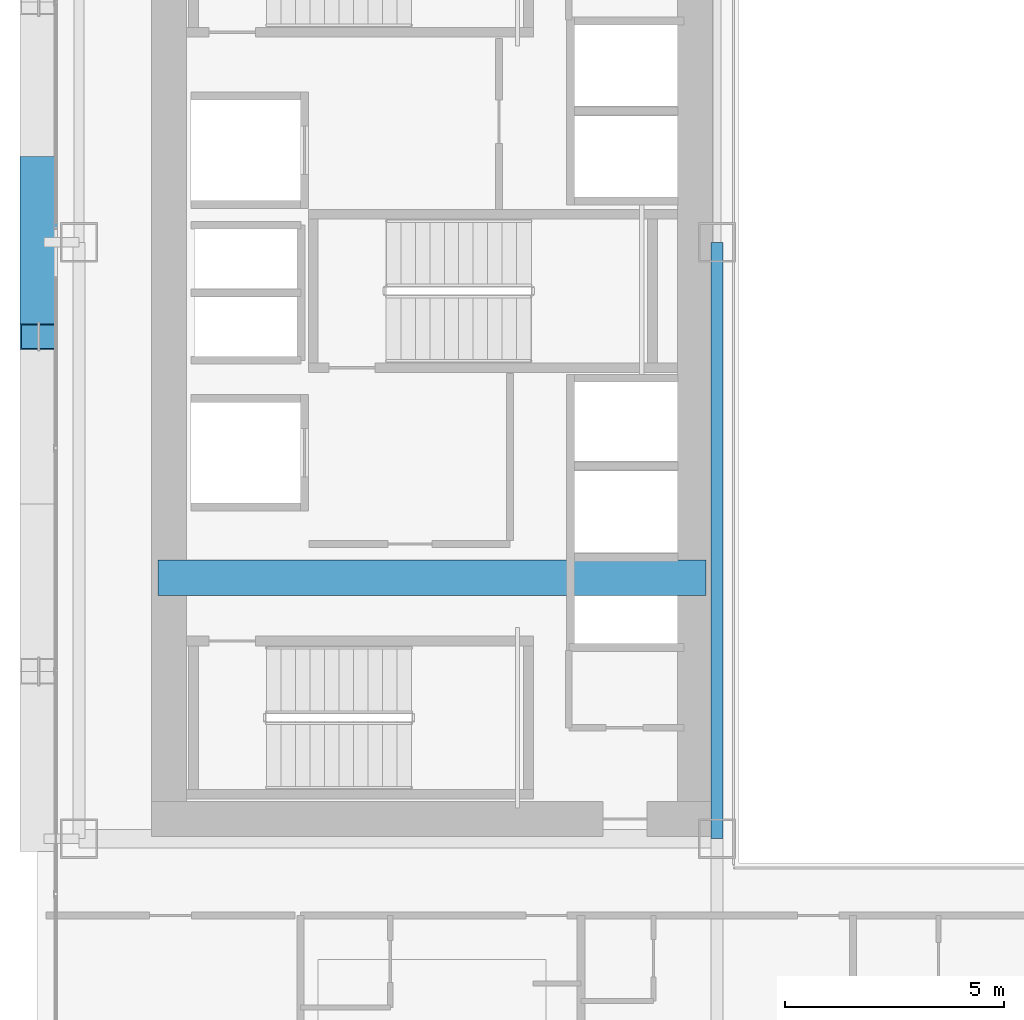
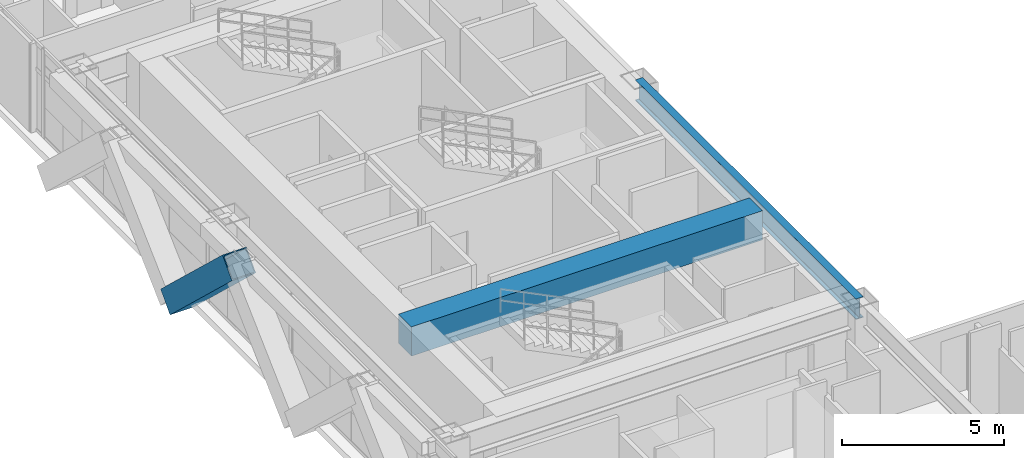
# One storey, part 7 of 35: 2 beams, 1 member.
"""IFC4 building model written with IfcOpenShell, lengths in metres."""

import ifcopenshell
import ifcopenshell.guid

model = None  # the IFC model being written
_history = None  # IfcOwnerHistory: only IFC2X3 demands one
_inside = {}  # id of a spatial element -> (the spatial element, [elements in it])
_under = {}  # id of a project, library or spatial element -> (it, [spatial elements below it])
_declared = {}  # id of a project -> (the project, [libraries it declares])
_typed = {}  # id of a type object -> (the type object, [elements of that type])
_made_of = {}  # id of a material, layer set ... -> (it, [elements and type objects made of it])


def new_model(schema):
    """Start an empty IFC model of exactly this schema.

    Asked for "IFC4X3", IfcOpenShell would pick the latest addendum, in which some entities
    have other attributes; the version numbers below select the first issue.
    IFC2X3 requires an IfcOwnerHistory on every rooted entity: one is made here for all.
    """
    global model, _history
    if schema == "IFC4X3":
        model = ifcopenshell.file(schema_version=(4, 3, 0, 0))
    else:
        model = ifcopenshell.file(schema=schema)
    _inside.clear()
    _under.clear()
    _declared.clear()
    _typed.clear()
    _made_of.clear()
    _history = None
    if model.schema == "IFC2X3":
        org = make("IfcOrganization", Name="unknown")
        user = make(
            "IfcPersonAndOrganization",
            ThePerson=make("IfcPerson", FamilyName="unknown"),
            TheOrganization=org,
        )
        app = make(
            "IfcApplication",
            ApplicationDeveloper=org,
            Version="unknown",
            ApplicationFullName="unknown",
            ApplicationIdentifier="unknown",
        )
        _history = make(
            "IfcOwnerHistory",
            OwningUser=user,
            OwningApplication=app,
            ChangeAction="ADDED",
            CreationDate=0,
        )
    return model


def make(cls, **values):
    """One entity of the class cls with the attributes given. An attribute that is None is left unset."""
    return model.create_entity(
        cls, **{name: value for name, value in values.items() if value is not None}
    )


def rooted(cls, **values):
    """An entity with a GlobalId (a new one), such as an element, a storey or a relation."""
    return make(cls, GlobalId=ifcopenshell.guid.new(), OwnerHistory=_history, **values)


def si_unit(unit_type, name, prefix=None):
    """IfcSIUnit, for example si_unit("LENGTHUNIT", "METRE", prefix="MILLI")."""
    return make("IfcSIUnit", UnitType=unit_type, Prefix=prefix, Name=name)


def assignment(units):
    """IfcUnitAssignment: the units of a project."""
    return None if units is None else make("IfcUnitAssignment", Units=units)


def point(xyz):
    """IfcCartesianPoint."""
    return None if xyz is None else make("IfcCartesianPoint", Coordinates=xyz)


def direction(xyz):
    """IfcDirection."""
    return None if xyz is None else make("IfcDirection", DirectionRatios=xyz)


def frame(location, z_axis=None, x_axis=None):
    """IfcAxis2Placement3D, a coordinate frame: its origin and axes. An axis left out is left unset."""
    return make(
        "IfcAxis2Placement3D",
        Location=point(location),
        Axis=direction(z_axis),
        RefDirection=direction(x_axis),
    )


def frame_2d(location, x_axis=None):
    """IfcAxis2Placement2D, a coordinate frame in the plane: its origin and x axis."""
    return make(
        "IfcAxis2Placement2D", Location=point(location), RefDirection=direction(x_axis)
    )


def origin():
    """The frame at (0, 0, 0) with its axes left unset."""
    return frame((0.0, 0.0, 0.0))


def origin_2d():
    """The frame at (0, 0) in the plane with its x axis left unset."""
    return frame_2d((0.0, 0.0))


def place(relative_to, where):
    """IfcLocalPlacement: puts the frame where relative to a parent placement (None: the world)."""
    return make(
        "IfcLocalPlacement", PlacementRelTo=relative_to, RelativePlacement=where
    )


def context(
    kind, dimensions, precision=None, world=None, true_north=None, identifier=None
):
    """IfcGeometricRepresentationContext, for example the 3D "Model" context."""
    return make(
        "IfcGeometricRepresentationContext",
        ContextIdentifier=identifier,
        ContextType=kind,
        CoordinateSpaceDimension=dimensions,
        Precision=precision,
        WorldCoordinateSystem=world,
        TrueNorth=true_north,
    )


def subcontext(parent, identifier, kind, view, scale=None):
    """IfcGeometricRepresentationSubContext, for example "Body" below "Model"."""
    return make(
        "IfcGeometricRepresentationSubContext",
        ContextIdentifier=identifier,
        ContextType=kind,
        ParentContext=parent,
        TargetScale=scale,
        TargetView=view,
    )


def project(units=None, contexts=None):
    """IfcProject with its units and contexts."""
    return rooted(
        "IfcProject",
        Name="project",
        RepresentationContexts=contexts,
        UnitsInContext=assignment(units),
    )


def spatial(cls, under=None, at=None, **own):
    """A site, building, storey or space (cls), placed at a placement, below another one or the project."""
    s = rooted(cls, ObjectPlacement=at, **own)
    if under is not None:
        _under.setdefault(under.id(), (under, []))[1].append(s)
    return s


def profile(cls, at=None, kind="AREA", **sizes):
    """A parametric profile (cls). Its sizes go by their IFC names, for example OverallWidth=200.0."""
    return make(cls, ProfileType=kind, Position=at, **sizes)


def rectangle(**sizes):
    """IfcRectangleProfileDef."""
    return profile("IfcRectangleProfileDef", **sizes)


def hollow_rectangle(**sizes):
    """IfcRectangleHollowProfileDef."""
    return profile("IfcRectangleHollowProfileDef", **sizes)


def i_section(**sizes):
    """IfcIShapeProfileDef."""
    return profile("IfcIShapeProfileDef", **sizes)


def extrude(swept, where, along, depth):
    """IfcExtrudedAreaSolid: the profile swept, set in the frame where, extruded along a direction by depth."""
    return make(
        "IfcExtrudedAreaSolid",
        SweptArea=swept,
        Position=where,
        ExtrudedDirection=direction(along),
        Depth=depth,
    )


def shape(context_of_items, identifier, shape_type, items):
    """IfcShapeRepresentation: the items that make up one representation, for example the "Body"."""
    return make(
        "IfcShapeRepresentation",
        ContextOfItems=context_of_items,
        RepresentationIdentifier=identifier,
        RepresentationType=shape_type,
        Items=items,
    )


def source(mapping_origin, context_of_items, identifier, shape_type, items):
    """IfcRepresentationMap: a shape defined once, which mapped items show again and again."""
    return make(
        "IfcRepresentationMap",
        MappingOrigin=mapping_origin,
        MappedRepresentation=shape(context_of_items, identifier, shape_type, items),
    )


def transform(
    local_origin,
    x_axis=None,
    y_axis=None,
    z_axis=None,
    scale=None,
    scale2=None,
    scale3=None,
    uniform=True,
):
    """IfcCartesianTransformationOperator3D, or its non-uniform kind. x_axis, y_axis, z_axis: its Axis1, 2, 3."""
    if uniform:
        return make(
            "IfcCartesianTransformationOperator3D",
            Axis1=direction(x_axis),
            Axis2=direction(y_axis),
            LocalOrigin=point(local_origin),
            Scale=scale,
            Axis3=direction(z_axis),
        )
    return make(
        "IfcCartesianTransformationOperator3DnonUniform",
        Axis1=direction(x_axis),
        Axis2=direction(y_axis),
        LocalOrigin=point(local_origin),
        Scale=scale,
        Axis3=direction(z_axis),
        Scale2=scale2,
        Scale3=scale3,
    )


def mapped(mapping_source, mapping_target):
    """IfcMappedItem: shows the shape of a source again, moved by a transform."""
    return make(
        "IfcMappedItem", MappingSource=mapping_source, MappingTarget=mapping_target
    )


def material(Name=None, Category=None):
    """IfcMaterial."""
    return make("IfcMaterial", Name=Name, Category=Category)


def material_profile(
    of_material, cross_section, Name=None, Category=None, Priority=None
):
    """IfcMaterialProfile: a cross section and its material."""
    return make(
        "IfcMaterialProfile",
        Name=Name,
        Material=of_material,
        Profile=cross_section,
        Priority=Priority,
        Category=Category,
    )


def profile_set(profiles, Name=None, composite=None):
    """IfcMaterialProfileSet."""
    return make(
        "IfcMaterialProfileSet",
        Name=Name,
        MaterialProfiles=profiles,
        CompositeProfile=composite,
    )


def made_of(thing, what):
    """Note that an element or type object is made of a material, layer set ...; save() writes the relation."""
    if what is not None:
        _made_of.setdefault(what.id(), (what, []))[1].append(thing)
    return thing


def type_object(cls, material=None, **own):
    """A type object (cls), such as IfcWallType, which elements share."""
    return made_of(rooted(cls, **own), material)


def element(
    cls,
    number,
    at=None,
    inside=None,
    cuts=None,
    type_object=None,
    material=None,
    context=None,
    identifier="Body",
    shape_type=None,
    held_by="IfcProductDefinitionShape",
    body=None,
    shapes=None,
    **own,
):
    """One element of the class cls, such as IfcWall. Its Tag is "e" and its number.

    at: its placement. inside: the storey or other place that contains it. cuts: it is an
    opening in that element (IfcRelVoidsElement). A single representation is given by context,
    identifier, shape_type and body (its items); several are given by shapes. held_by: the class
    of the entity that holds the representations. save() writes the other relations.
    """
    e = rooted(cls, Tag="e%d" % number, ObjectPlacement=at, **own)
    if body is not None:
        shapes = [shape(context, identifier, shape_type, body)]
    if shapes is not None:
        e.Representation = make(held_by, Representations=shapes)
    if inside is not None:
        _inside.setdefault(inside.id(), (inside, []))[1].append(e)
    if cuts is not None:
        rooted(
            "IfcRelVoidsElement", RelatingBuildingElement=cuts, RelatedOpeningElement=e
        )
    if type_object is not None:
        _typed.setdefault(type_object.id(), (type_object, []))[1].append(e)
    return made_of(e, material)


def aggregate(whole, parts):
    """IfcRelAggregates: a whole, such as a stair, and the parts it consists of."""
    return rooted("IfcRelAggregates", RelatingObject=whole, RelatedObjects=parts)


def save(model, path):
    """Write the relations noted so far, then the file.

    IfcRelAggregates (storeys below a building ...), IfcRelContainedInSpatialStructure (elements
    in a storey), IfcRelDefinesByType, IfcRelAssociatesMaterial and IfcRelDeclares: one each for
    every whole, place, type object, material and project.
    """
    for whole, parts in _under.values():
        aggregate(whole, parts)
    for where, things in _inside.values():
        rooted(
            "IfcRelContainedInSpatialStructure",
            RelatedElements=things,
            RelatingStructure=where,
        )
    for kind, things in _typed.values():
        rooted("IfcRelDefinesByType", RelatedObjects=things, RelatingType=kind)
    for what, things in _made_of.values():
        rooted("IfcRelAssociatesMaterial", RelatedObjects=things, RelatingMaterial=what)
    for by, libraries in _declared.values():
        rooted("IfcRelDeclares", RelatingContext=by, RelatedDefinitions=libraries)
    model.write(path)


model = new_model("IFC4")

# Units and contexts
model_context = context("Model", 3, precision=1e-05, world=origin(), true_north=direction((0.0, 1.0)))
body_context = subcontext(model_context, "Body", "Model", "MODEL_VIEW")
ifc_project = project(units=[si_unit("LENGTHUNIT", "METRE"), si_unit("AREAUNIT", "SQUARE_METRE"), si_unit("VOLUMEUNIT", "CUBIC_METRE"), si_unit("PLANEANGLEUNIT", "RADIAN"), si_unit("MASSUNIT", "GRAM", prefix="KILO")], contexts=[model_context])

# Site, building, storey
site_placement = place(None, origin())
site = spatial("IfcSite", under=ifc_project, at=site_placement, CompositionType="ELEMENT")
building_placement = place(site_placement, origin())
building = spatial("IfcBuilding", under=site, at=building_placement, Name="Ocotamira Hotel", CompositionType="ELEMENT")
storey_placement = place(building_placement, frame((0.0, 0.0, 49.199951171875)))
storey = spatial("IfcBuildingStorey", under=building, at=storey_placement, Name="L11", CompositionType="ELEMENT", Elevation=49.199951171875)

# Beams
ifc_material_1 = material(Name="Concrete C60/75", Category="concrete")
ifc_material_profile_1 = material_profile(ifc_material_1, rectangle(XDim=0.800048828125, YDim=1.10009765625, at=origin_2d()), Name="RC800X1100")
ifc_profile_set_1 = profile_set([ifc_material_profile_1], Name="Concrete C60/75")
beam_type_1 = type_object("IfcBeamType", Name="BM-LINK-RC800", PredefinedType="LINTEL", material=ifc_profile_set_1)
shared_shape_1 = source(origin(), body_context, "Body", "SweptSolid", [
    extrude(rectangle(XDim=0.800048828125, YDim=1.10009765625, at=origin_2d()), origin(), (0.0, 0.0, 1.0), 12.5),
])
beam_1_placement = place(storey_placement, frame((10.75, 20.5, 2.800048828125), z_axis=(1.0, 0.0, 0.0), x_axis=(0.0, 1.0, 0.0)))
element("IfcBeam", 1, at=beam_1_placement, inside=storey, type_object=beam_type_1, Name="L11 West Core Coupling Beam", PredefinedType="LINTEL", context=body_context, shape_type="MappedRepresentation", body=[
    mapped(shared_shape_1, transform((0.0, 0.0, 0.0), scale=1.0)),
])
ifc_material_2 = material(Name="Steel ASTM A992 Grade 50", Category="steel")
ifc_material_profile_2 = material_profile(ifc_material_2, i_section(OverallWidth=0.26611328125, OverallDepth=0.779052734375, WebThickness=0.0166015625, FlangeThickness=0.030029296875, FilletRadius=0.01806640625, at=origin_2d()), Name="W30X148")
ifc_profile_set_2 = profile_set([ifc_material_profile_2], Name="Steel ASTM A992 Grade 50")
beam_type_2 = type_object("IfcBeamType", Name="BM-GIRD-W30X148", PredefinedType="BEAM", material=ifc_profile_set_2)
shared_shape_2 = source(origin(), body_context, "Body", "SweptSolid", [
    extrude(i_section(OverallWidth=0.26611328125, OverallDepth=0.779052734375, WebThickness=0.0166015625, FlangeThickness=0.030029296875, FilletRadius=0.01806640625, at=origin_2d()), origin(), (0.0, 0.0, 1.0), 13.599853515625),
])
beam_2_placement = place(storey_placement, frame((23.5, 14.550048828125, 2.96044921875), z_axis=(0.0, 1.0, 0.0), x_axis=(-1.0, 0.0, 0.0)))
element("IfcBeam", 2, at=beam_2_placement, inside=storey, type_object=beam_type_2, Name="L11 Beam X23.5 Y14.55-28.15", PredefinedType="BEAM", context=body_context, shape_type="MappedRepresentation", body=[
    mapped(shared_shape_2, transform((0.0, 0.0, 0.0), scale=1.0)),
])

# Member
ifc_material_3 = material(Name="Pale-metal coated steel ASTM A913 Grade 65", Category="steel")
ifc_material_profile_3 = material_profile(ifc_material_3, hollow_rectangle(XDim=0.85009765625, YDim=0.85009765625, WallThickness=0.035888671875, at=origin_2d()), Name="BOX850X850X36")
ifc_profile_set_3 = profile_set([ifc_material_profile_3], Name="Pale-metal coated steel ASTM A913 Grade 65")
member_type = type_object("IfcMemberType", Name="MEM-EXO-BOX850", PredefinedType="BRACE", material=ifc_profile_set_3)
shared_shape_3 = source(origin(), body_context, "Body", "SweptSolid", [
    extrude(hollow_rectangle(XDim=0.85009765625, YDim=0.85009765625, WallThickness=0.035888671875, at=origin_2d()), origin(), (0.0, 0.0, 1.0), 5.24658203125),
])
member_placement = place(storey_placement, frame((8.030029296875, 29.816650390625, -0.5), z_axis=(0.0, -0.727442733726, 0.686168397078), x_axis=(1.0, 0.0, 0.0)))
element("IfcMember", 3, at=member_placement, inside=storey, type_object=member_type, Name="L11 Exoskeleton Diagrid W1.2", PredefinedType="BRACE", context=body_context, shape_type="MappedRepresentation", body=[
    mapped(shared_shape_3, transform((0.0, 0.0, 0.0), scale=1.0)),
])

save(model, "model.ifc")
